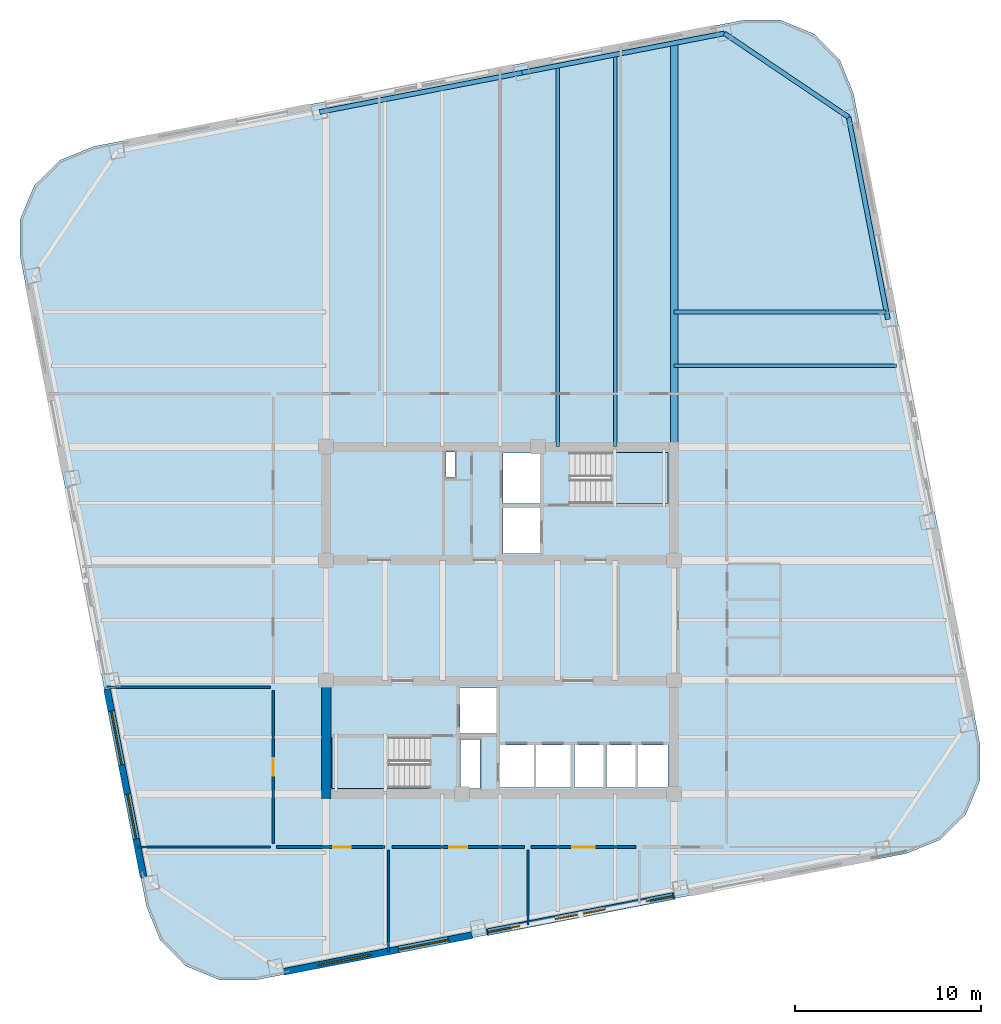
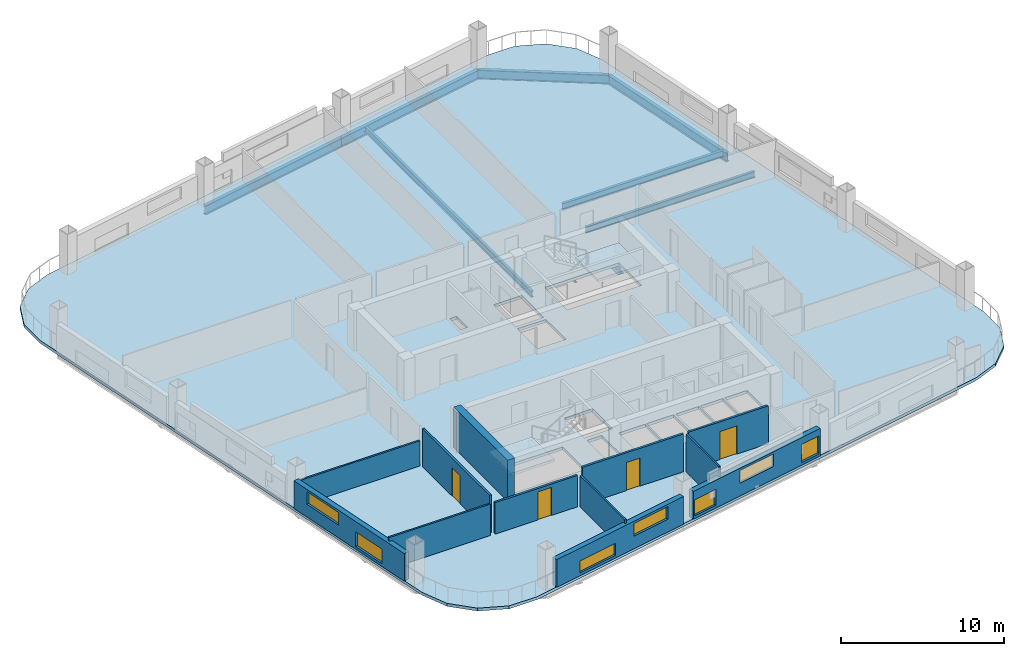
# One storey, part 2 of 9: 12 walls, 9 beams, 7 windows, 4 doors, 3 slabs, 11 openings, 2 elements without a shape of their own.
"""IFC4 building model written with IfcOpenShell, lengths in metres."""

import ifcopenshell
import ifcopenshell.guid

model = None  # the IFC model being written
_history = None  # IfcOwnerHistory: only IFC2X3 demands one
_inside = {}  # id of a spatial element -> (the spatial element, [elements in it])
_under = {}  # id of a project, library or spatial element -> (it, [spatial elements below it])
_declared = {}  # id of a project -> (the project, [libraries it declares])
_typed = {}  # id of a type object -> (the type object, [elements of that type])
_made_of = {}  # id of a material, layer set ... -> (it, [elements and type objects made of it])


def new_model(schema):
    """Start an empty IFC model of exactly this schema.

    Asked for "IFC4X3", IfcOpenShell would pick the latest addendum, in which some entities
    have other attributes; the version numbers below select the first issue.
    IFC2X3 requires an IfcOwnerHistory on every rooted entity: one is made here for all.
    """
    global model, _history
    if schema == "IFC4X3":
        model = ifcopenshell.file(schema_version=(4, 3, 0, 0))
    else:
        model = ifcopenshell.file(schema=schema)
    _inside.clear()
    _under.clear()
    _declared.clear()
    _typed.clear()
    _made_of.clear()
    _history = None
    if model.schema == "IFC2X3":
        org = make("IfcOrganization", Name="unknown")
        user = make(
            "IfcPersonAndOrganization",
            ThePerson=make("IfcPerson", FamilyName="unknown"),
            TheOrganization=org,
        )
        app = make(
            "IfcApplication",
            ApplicationDeveloper=org,
            Version="unknown",
            ApplicationFullName="unknown",
            ApplicationIdentifier="unknown",
        )
        _history = make(
            "IfcOwnerHistory",
            OwningUser=user,
            OwningApplication=app,
            ChangeAction="ADDED",
            CreationDate=0,
        )
    return model


def make(cls, **values):
    """One entity of the class cls with the attributes given. An attribute that is None is left unset."""
    return model.create_entity(
        cls, **{name: value for name, value in values.items() if value is not None}
    )


def rooted(cls, **values):
    """An entity with a GlobalId (a new one), such as an element, a storey or a relation."""
    return make(cls, GlobalId=ifcopenshell.guid.new(), OwnerHistory=_history, **values)


def si_unit(unit_type, name, prefix=None):
    """IfcSIUnit, for example si_unit("LENGTHUNIT", "METRE", prefix="MILLI")."""
    return make("IfcSIUnit", UnitType=unit_type, Prefix=prefix, Name=name)


def assignment(units):
    """IfcUnitAssignment: the units of a project."""
    return None if units is None else make("IfcUnitAssignment", Units=units)


def point(xyz):
    """IfcCartesianPoint."""
    return None if xyz is None else make("IfcCartesianPoint", Coordinates=xyz)


def direction(xyz):
    """IfcDirection."""
    return None if xyz is None else make("IfcDirection", DirectionRatios=xyz)


def frame(location, z_axis=None, x_axis=None):
    """IfcAxis2Placement3D, a coordinate frame: its origin and axes. An axis left out is left unset."""
    return make(
        "IfcAxis2Placement3D",
        Location=point(location),
        Axis=direction(z_axis),
        RefDirection=direction(x_axis),
    )


def frame_2d(location, x_axis=None):
    """IfcAxis2Placement2D, a coordinate frame in the plane: its origin and x axis."""
    return make(
        "IfcAxis2Placement2D", Location=point(location), RefDirection=direction(x_axis)
    )


def origin():
    """The frame at (0, 0, 0) with its axes left unset."""
    return frame((0.0, 0.0, 0.0))


def origin_2d():
    """The frame at (0, 0) in the plane with its x axis left unset."""
    return frame_2d((0.0, 0.0))


def place(relative_to, where):
    """IfcLocalPlacement: puts the frame where relative to a parent placement (None: the world)."""
    return make(
        "IfcLocalPlacement", PlacementRelTo=relative_to, RelativePlacement=where
    )


def context(
    kind, dimensions, precision=None, world=None, true_north=None, identifier=None
):
    """IfcGeometricRepresentationContext, for example the 3D "Model" context."""
    return make(
        "IfcGeometricRepresentationContext",
        ContextIdentifier=identifier,
        ContextType=kind,
        CoordinateSpaceDimension=dimensions,
        Precision=precision,
        WorldCoordinateSystem=world,
        TrueNorth=true_north,
    )


def subcontext(parent, identifier, kind, view, scale=None):
    """IfcGeometricRepresentationSubContext, for example "Body" below "Model"."""
    return make(
        "IfcGeometricRepresentationSubContext",
        ContextIdentifier=identifier,
        ContextType=kind,
        ParentContext=parent,
        TargetScale=scale,
        TargetView=view,
    )


def project(units=None, contexts=None):
    """IfcProject with its units and contexts."""
    return rooted(
        "IfcProject",
        Name="project",
        RepresentationContexts=contexts,
        UnitsInContext=assignment(units),
    )


def spatial(cls, under=None, at=None, **own):
    """A site, building, storey or space (cls), placed at a placement, below another one or the project."""
    s = rooted(cls, ObjectPlacement=at, **own)
    if under is not None:
        _under.setdefault(under.id(), (under, []))[1].append(s)
    return s


def polyline(points):
    """IfcPolyline through the points."""
    return make("IfcPolyline", Points=[point(p) for p in points])


def profile(cls, at=None, kind="AREA", **sizes):
    """A parametric profile (cls). Its sizes go by their IFC names, for example OverallWidth=200.0."""
    return make(cls, ProfileType=kind, Position=at, **sizes)


def rectangle(**sizes):
    """IfcRectangleProfileDef."""
    return profile("IfcRectangleProfileDef", **sizes)


def i_section(**sizes):
    """IfcIShapeProfileDef."""
    return profile("IfcIShapeProfileDef", **sizes)


def outline(outer, holes=None, kind="AREA"):
    """IfcArbitraryClosedProfileDef: a profile drawn as a closed curve; with holes, ...WithVoids."""
    if holes is None:
        return make("IfcArbitraryClosedProfileDef", ProfileType=kind, OuterCurve=outer)
    return make(
        "IfcArbitraryProfileDefWithVoids",
        ProfileType=kind,
        OuterCurve=outer,
        InnerCurves=holes,
    )


def extrude(swept, where, along, depth):
    """IfcExtrudedAreaSolid: the profile swept, set in the frame where, extruded along a direction by depth."""
    return make(
        "IfcExtrudedAreaSolid",
        SweptArea=swept,
        Position=where,
        ExtrudedDirection=direction(along),
        Depth=depth,
    )


def shape(context_of_items, identifier, shape_type, items):
    """IfcShapeRepresentation: the items that make up one representation, for example the "Body"."""
    return make(
        "IfcShapeRepresentation",
        ContextOfItems=context_of_items,
        RepresentationIdentifier=identifier,
        RepresentationType=shape_type,
        Items=items,
    )


def material(Name=None, Category=None):
    """IfcMaterial."""
    return make("IfcMaterial", Name=Name, Category=Category)


def layer(
    of_material, thickness, ventilated=None, Name=None, Category=None, Priority=None
):
    """IfcMaterialLayer: one layer of a wall or slab, of a material (None: an air gap)."""
    return make(
        "IfcMaterialLayer",
        Material=of_material,
        LayerThickness=thickness,
        IsVentilated=ventilated,
        Name=Name,
        Category=Category,
        Priority=Priority,
    )


def layer_set(layers, Name=None):
    """IfcMaterialLayerSet."""
    return make("IfcMaterialLayerSet", MaterialLayers=layers, LayerSetName=Name)


def material_profile(
    of_material, cross_section, Name=None, Category=None, Priority=None
):
    """IfcMaterialProfile: a cross section and its material."""
    return make(
        "IfcMaterialProfile",
        Name=Name,
        Material=of_material,
        Profile=cross_section,
        Priority=Priority,
        Category=Category,
    )


def profile_set(profiles, Name=None, composite=None):
    """IfcMaterialProfileSet."""
    return make(
        "IfcMaterialProfileSet",
        Name=Name,
        MaterialProfiles=profiles,
        CompositeProfile=composite,
    )


def made_of(thing, what):
    """Note that an element or type object is made of a material, layer set ...; save() writes the relation."""
    if what is not None:
        _made_of.setdefault(what.id(), (what, []))[1].append(thing)
    return thing


def type_object(cls, material=None, **own):
    """A type object (cls), such as IfcWallType, which elements share."""
    return made_of(rooted(cls, **own), material)


def element(
    cls,
    number,
    at=None,
    inside=None,
    cuts=None,
    type_object=None,
    material=None,
    context=None,
    identifier="Body",
    shape_type=None,
    held_by="IfcProductDefinitionShape",
    body=None,
    shapes=None,
    **own,
):
    """One element of the class cls, such as IfcWall. Its Tag is "e" and its number.

    at: its placement. inside: the storey or other place that contains it. cuts: it is an
    opening in that element (IfcRelVoidsElement). A single representation is given by context,
    identifier, shape_type and body (its items); several are given by shapes. held_by: the class
    of the entity that holds the representations. save() writes the other relations.
    """
    e = rooted(cls, Tag="e%d" % number, ObjectPlacement=at, **own)
    if body is not None:
        shapes = [shape(context, identifier, shape_type, body)]
    if shapes is not None:
        e.Representation = make(held_by, Representations=shapes)
    if inside is not None:
        _inside.setdefault(inside.id(), (inside, []))[1].append(e)
    if cuts is not None:
        rooted(
            "IfcRelVoidsElement", RelatingBuildingElement=cuts, RelatedOpeningElement=e
        )
    if type_object is not None:
        _typed.setdefault(type_object.id(), (type_object, []))[1].append(e)
    return made_of(e, material)


def fill(opening, filler):
    """IfcRelFillsElement: the door or window that sits in an opening."""
    return rooted(
        "IfcRelFillsElement",
        RelatingOpeningElement=opening,
        RelatedBuildingElement=filler,
    )


def aggregate(whole, parts):
    """IfcRelAggregates: a whole, such as a stair, and the parts it consists of."""
    return rooted("IfcRelAggregates", RelatingObject=whole, RelatedObjects=parts)


def save(model, path):
    """Write the relations noted so far, then the file.

    IfcRelAggregates (storeys below a building ...), IfcRelContainedInSpatialStructure (elements
    in a storey), IfcRelDefinesByType, IfcRelAssociatesMaterial and IfcRelDeclares: one each for
    every whole, place, type object, material and project.
    """
    for whole, parts in _under.values():
        aggregate(whole, parts)
    for where, things in _inside.values():
        rooted(
            "IfcRelContainedInSpatialStructure",
            RelatedElements=things,
            RelatingStructure=where,
        )
    for kind, things in _typed.values():
        rooted("IfcRelDefinesByType", RelatedObjects=things, RelatingType=kind)
    for what, things in _made_of.values():
        rooted("IfcRelAssociatesMaterial", RelatedObjects=things, RelatingMaterial=what)
    for by, libraries in _declared.values():
        rooted("IfcRelDeclares", RelatingContext=by, RelatedDefinitions=libraries)
    model.write(path)


model = new_model("IFC4")

# Units and contexts
model_context = context("Model", 3, precision=1e-05, world=origin(), true_north=direction((0.0, 1.0)))
body_context = subcontext(model_context, "Body", "Model", "MODEL_VIEW")
ifc_project = project(units=[si_unit("LENGTHUNIT", "METRE"), si_unit("AREAUNIT", "SQUARE_METRE"), si_unit("VOLUMEUNIT", "CUBIC_METRE"), si_unit("PLANEANGLEUNIT", "RADIAN"), si_unit("MASSUNIT", "GRAM", prefix="KILO")], contexts=[model_context])

# Site, building, storey
site_placement = place(None, origin())
site = spatial("IfcSite", under=ifc_project, at=site_placement, CompositionType="ELEMENT")
building_placement = place(site_placement, origin())
building = spatial("IfcBuilding", under=site, at=building_placement, Name="Qhalaya Broadcast Tower", CompositionType="ELEMENT")
storey_placement = place(building_placement, frame((0.0, 0.0, 134.14990234375)))
storey = spatial("IfcBuildingStorey", under=building, at=storey_placement, Name="L39", CompositionType="ELEMENT", Elevation=134.14990234375)

# Beams
ifc_material_1 = material(Name="Structural Steel ASTM A992 Grade 50", Category="steel")
ifc_material_profile_1 = material_profile(ifc_material_1, i_section(OverallWidth=0.19189453125, OverallDepth=0.462890625, WebThickness=0.010498046875, FlangeThickness=0.017578125, at=origin_2d()), Name="W18X60")
ifc_profile_set_1 = profile_set([ifc_material_profile_1], Name="Structural Steel ASTM A992 Grade 50")
beam_type_1 = type_object("IfcBeamType", Name="Composite Floor Joist J03", PredefinedType="JOIST", material=ifc_profile_set_1)
beam_1_placement = place(storey_placement, frame((3.10009765625, 9.949951171875, -0.451416015625), z_axis=(0.0, 1.0, 0.0), x_axis=(-1.0, 0.0, 0.0)))
element("IfcBeam", 1, at=beam_1_placement, inside=storey, type_object=beam_type_1, Name="L39 J03 L39-JNN4-1", PredefinedType="JOIST", context=body_context, shape_type="SweptSolid", body=[
    extrude(i_section(OverallWidth=0.19189453125, OverallDepth=0.462890625, WebThickness=0.010498046875, FlangeThickness=0.017578125, at=origin_2d()), origin(), (0.0, 0.0, 1.0), 20.480712890625),
])
beam_2_placement = place(storey_placement, frame((6.199951171875, 9.949951171875, -0.451416015625), z_axis=(0.0, 1.0, 0.0), x_axis=(-1.0, 0.0, 0.0)))
element("IfcBeam", 2, at=beam_2_placement, inside=storey, type_object=beam_type_1, Name="L39 J03 L39-JNN5-1", PredefinedType="JOIST", context=body_context, shape_type="SweptSolid", body=[
    extrude(i_section(OverallWidth=0.19189453125, OverallDepth=0.462890625, WebThickness=0.010498046875, FlangeThickness=0.017578125, at=origin_2d()), origin(), (0.0, 0.0, 1.0), 21.083251953125),
])
beam_3_placement = place(storey_placement, frame((9.375, 14.300048828125, -0.451416015625), z_axis=(1.0, 0.0, 0.0), x_axis=(0.0, 1.0, 0.0)))
element("IfcBeam", 3, at=beam_3_placement, inside=storey, type_object=beam_type_1, Name="L39 J03 L39-JWE6E-1", PredefinedType="JOIST", context=body_context, shape_type="SweptSolid", body=[
    extrude(i_section(OverallWidth=0.19189453125, OverallDepth=0.462890625, WebThickness=0.010498046875, FlangeThickness=0.017578125, at=origin_2d()), origin(), (0.0, 0.0, 1.0), 11.969482421875),
])
beam_4_placement = place(storey_placement, frame((9.375, 17.199951171875, -0.451416015625), z_axis=(1.0, 0.0, 0.0), x_axis=(0.0, 1.0, 0.0)))
element("IfcBeam", 4, at=beam_4_placement, inside=storey, type_object=beam_type_1, Name="L39 J03 L39-JWE7E-1", PredefinedType="JOIST", context=body_context, shape_type="SweptSolid", body=[
    extrude(i_section(OverallWidth=0.19189453125, OverallDepth=0.462890625, WebThickness=0.010498046875, FlangeThickness=0.017578125, at=origin_2d()), origin(), (0.0, 0.0, 1.0), 11.40576171875),
])
ifc_material_profile_2 = material_profile(ifc_material_1, i_section(OverallWidth=0.4189453125, OverallDepth=0.927001953125, WebThickness=0.019287109375, FlangeThickness=0.031982421875, at=origin_2d()), Name="W36X231")
ifc_profile_set_2 = profile_set([ifc_material_profile_2], Name="Structural Steel ASTM A992 Grade 50")
beam_type_2 = type_object("IfcBeamType", Name="Mid Block Primary Girder PG3", PredefinedType="USERDEFINED", material=ifc_profile_set_2)
beam_5_placement = place(storey_placement, frame((9.375, 9.949951171875, -0.683349609375), z_axis=(0.0, 1.0, 0.0), x_axis=(-1.0, 0.0, 0.0)))
element("IfcBeam", 5, at=beam_5_placement, inside=storey, type_object=beam_type_2, Name="L39 PG3 L39-PGXN2-1", ObjectType="GIRDER", PredefinedType="USERDEFINED", context=body_context, shape_type="SweptSolid", body=[
    extrude(i_section(OverallWidth=0.4189453125, OverallDepth=0.927001953125, WebThickness=0.019287109375, FlangeThickness=0.031982421875, at=origin_2d()), origin(), (0.0, 0.0, 1.0), 21.7001953125),
])
ifc_material_profile_3 = material_profile(ifc_material_1, i_section(OverallWidth=0.25390625, OverallDepth=0.68310546875, WebThickness=0.012451171875, FlangeThickness=0.01904296875, at=origin_2d()), Name="W27X94")
ifc_profile_set_3 = profile_set([ifc_material_profile_3], Name="Structural Steel ASTM A992 Grade 50")
beam_type_3 = type_object("IfcBeamType", Name="Perimeter Ring Spandrel Beam SP1", PredefinedType="SPANDREL", material=ifc_profile_set_3)
beam_6_placement = place(storey_placement, frame((20.88037109375, 16.79248046875, -0.5615234375), z_axis=(-0.190800781233, 0.98162878008, 0.0), x_axis=(-0.98162878008, -0.190800781233, 0.0)))
element("IfcBeam", 6, at=beam_6_placement, inside=storey, type_object=beam_type_3, Name="L39 SP1 L39-SPR-07", PredefinedType="SPANDREL", context=body_context, shape_type="SweptSolid", body=[
    extrude(i_section(OverallWidth=0.25390625, OverallDepth=0.68310546875, WebThickness=0.012451171875, FlangeThickness=0.01904296875, at=origin_2d()), origin(), (0.0, 0.0, 1.0), 11.10009765625),
])
beam_7_placement = place(storey_placement, frame((18.762451171875, 27.688720703125, -0.5615234375), z_axis=(-0.829042088473, 0.559186208288, 0.0), x_axis=(-0.559186208288, -0.829042088473, 0.0)))
element("IfcBeam", 7, at=beam_7_placement, inside=storey, type_object=beam_type_3, Name="L39 SP1 L39-SPR-08", PredefinedType="SPANDREL", context=body_context, shape_type="SweptSolid", body=[
    extrude(i_section(OverallWidth=0.25390625, OverallDepth=0.68310546875, WebThickness=0.012451171875, FlangeThickness=0.01904296875, at=origin_2d()), origin(), (0.0, 0.0, 1.0), 8.06103515625),
])
beam_8_placement = place(storey_placement, frame((12.07958984375, 32.1962890625, -0.5615234375), z_axis=(-0.98162878008, -0.190800781233, 0.0), x_axis=(0.190800781233, -0.98162878008, 0.0)))
element("IfcBeam", 8, at=beam_8_placement, inside=storey, type_object=beam_type_3, Name="L39 SP1 L39-SPR-09", PredefinedType="SPANDREL", context=body_context, shape_type="SweptSolid", body=[
    extrude(i_section(OverallWidth=0.25390625, OverallDepth=0.68310546875, WebThickness=0.012451171875, FlangeThickness=0.01904296875, at=origin_2d()), origin(), (0.0, 0.0, 1.0), 11.10009765625),
])
beam_9_placement = place(storey_placement, frame((1.183349609375, 30.078369140625, -0.5615234375), z_axis=(-0.981627979352, -0.190804900759, 0.0), x_axis=(0.190804900759, -0.981627979352, 0.0)))
element("IfcBeam", 9, at=beam_9_placement, inside=storey, type_object=beam_type_3, Name="L39 SP1 L39-SPR-10", PredefinedType="SPANDREL", context=body_context, shape_type="SweptSolid", body=[
    extrude(i_section(OverallWidth=0.25390625, OverallDepth=0.68310546875, WebThickness=0.012451171875, FlangeThickness=0.01904296875, at=origin_2d()), origin(), (0.0, 0.0, 1.0), 11.099853515625),
])

# Stair, slab
ifc_material_2 = material(Name="Concrete C40/50", Category="concrete")
stair_type = type_object("IfcStairType", Name="Protected Dogleg Core Stair 3150", PredefinedType="TWO_STRAIGHT_RUN_STAIR", material=ifc_material_2)
stair_1_placement = place(storey_placement, origin())
stair_1 = element("IfcStair", 10, at=stair_1_placement, inside=storey, type_object=stair_type, Name="L39 North Core Exit Stair ST-1", PredefinedType="TWO_STRAIGHT_RUN_STAIR")
ifc_layer_1 = layer(ifc_material_2, 0.199951171875, Name="Concrete C40/50")
ifc_layer_set_1 = layer_set([ifc_layer_1], Name="Concrete C40/50")
slab_type_1 = type_object("IfcSlabType", Name="Stair & Ramp Half-Landing Slab 200", PredefinedType="LANDING", material=ifc_layer_set_1)
slab_1_placement = place(storey_placement, frame((0.0, 0.0, 1.3251953125)))
slab_1 = element("IfcSlab", 11, at=slab_1_placement, type_object=slab_type_1, Name="ST-1 landing 1", PredefinedType="LANDING", context=body_context, shape_type="SweptSolid", body=[
    extrude(outline(polyline([(5.955078125, 6.8798828125), (9.050048828125, 6.8798828125), (9.050048828125, 9.639892578125), (5.955078125, 9.639892578125), (5.955078125, 6.8798828125)])), origin(), (0.0, 0.0, 1.0), 0.199951171875),
])
aggregate(stair_1, [slab_1])

stair_2_placement = place(storey_placement, origin())
stair_2 = element("IfcStair", 12, at=stair_2_placement, inside=storey, type_object=stair_type, Name="L39 South Core Exit Stair ST-2", PredefinedType="TWO_STRAIGHT_RUN_STAIR")
slab_2_placement = place(storey_placement, frame((0.0, 0.0, 1.3251953125)))
slab_2 = element("IfcSlab", 13, at=slab_2_placement, type_object=slab_type_1, Name="ST-2 landing 1", PredefinedType="LANDING", context=body_context, shape_type="SweptSolid", body=[
    extrude(outline(polyline([(-5.955078125, -5.679931640625), (-9.050048828125, -5.679931640625), (-9.050048828125, -8.43994140625), (-5.955078125, -8.43994140625), (-5.955078125, -5.679931640625)])), origin(), (0.0, 0.0, 1.0), 0.199951171875),
])
aggregate(stair_2, [slab_2])

# Slab
ifc_layer_2 = layer(ifc_material_2, 0.219970703125, Name="Concrete C40/50")
ifc_layer_set_2 = layer_set([ifc_layer_2], Name="Concrete C40/50")
slab_type_2 = type_object("IfcSlabType", Name="Tower Composite Floor Slab 220", PredefinedType="FLOOR", material=ifc_layer_set_2)
slab_3_placement = place(storey_placement, frame((0.0, 0.0, -0.219970703125)))
element("IfcSlab", 14, at=slab_3_placement, inside=storey, type_object=slab_type_2, Name="L39 Main Structural Floor Slab", PredefinedType="FLOOR", context=body_context, shape_type="SweptSolid", body=[
    extrude(outline(polyline([(21.882080078125, -11.944091796875), (23.687744140625, -11.20556640625), (25.0732421875, -9.83203125), (25.82763671875, -8.032958984375), (25.836181640625, -6.08203125), (19.024169921875, 28.9619140625), (18.285400390625, 30.767578125), (16.912109375, 32.1533203125), (15.11279296875, 32.90771484375), (13.162109375, 32.916015625), (-21.882080078125, 26.104248046875), (-23.687744140625, 25.365478515625), (-25.0732421875, 23.9921875), (-25.82763671875, 22.19287109375), (-25.836181640625, 20.2421875), (-19.024169921875, -14.802001953125), (-18.285400390625, -16.607666015625), (-16.912109375, -17.9931640625), (-15.11279296875, -18.74755859375), (-13.162109375, -18.756103515625), (21.882080078125, -11.944091796875)]), holes=[polyline([(3.784912109375, 9.639892578125), (9.050048828125, 9.639892578125), (9.050048828125, 6.8798828125), (3.784912109375, 6.8798828125), (3.784912109375, 9.639892578125)]), polyline([(-3.784912109375, -8.43994140625), (-9.050048828125, -8.43994140625), (-9.050048828125, -5.679931640625), (-3.784912109375, -5.679931640625), (-3.784912109375, -8.43994140625)]), polyline([(0.14990234375, 6.64990234375), (2.14990234375, 6.64990234375), (2.14990234375, 4.199951171875), (0.14990234375, 4.199951171875), (0.14990234375, 6.64990234375)]), polyline([(0.14990234375, 9.60009765625), (2.14990234375, 9.60009765625), (2.14990234375, 6.89990234375), (0.14990234375, 6.89990234375), (0.14990234375, 9.60009765625)]), polyline([(-2.14990234375, -3.050048828125), (-0.14990234375, -3.050048828125), (-0.14990234375, -5.5), (-2.14990234375, -5.5), (-2.14990234375, -3.050048828125)]), polyline([(-0.050048828125, -6.10009765625), (1.830078125, -6.10009765625), (1.830078125, -8.39990234375), (-0.050048828125, -8.39990234375), (-0.050048828125, -6.10009765625)]), polyline([(1.949951171875, -6.10009765625), (3.830078125, -6.10009765625), (3.830078125, -8.39990234375), (1.949951171875, -8.39990234375), (1.949951171875, -6.10009765625)]), polyline([(4.0, -6.10009765625), (5.60009765625, -6.10009765625), (5.60009765625, -8.39990234375), (4.0, -8.39990234375), (4.0, -6.10009765625)]), polyline([(5.719970703125, -6.10009765625), (7.320068359375, -6.10009765625), (7.320068359375, -8.39990234375), (5.719970703125, -8.39990234375), (5.719970703125, -6.10009765625)]), polyline([(7.43994140625, -6.10009765625), (9.0400390625, -6.10009765625), (9.0400390625, -8.39990234375), (7.43994140625, -8.39990234375), (7.43994140625, -6.10009765625)]), polyline([(-2.919921875, 9.659912109375), (-2.419921875, 9.659912109375), (-2.419921875, 8.320068359375), (-2.919921875, 8.320068359375), (-2.919921875, 9.659912109375)]), polyline([(-2.1201171875, -5.820068359375), (-1.080078125, -5.820068359375), (-1.080078125, -8.4599609375), (-2.1201171875, -8.4599609375), (-2.1201171875, -5.820068359375)])]), origin(), (0.0, 0.0, 1.0), 0.219970703125),
])

# Wall, opening, door
ifc_material_3 = material(Name="Gypsum Acoustic Partition")
ifc_layer_3 = layer(ifc_material_3, 0.14990234375, Name="Gypsum Acoustic Partition")
ifc_layer_set_3 = layer_set([ifc_layer_3], Name="Gypsum Acoustic Partition")
wall_type_1 = type_object("IfcWallType", Name="Corridor & Tenancy Acoustic Partition 150", PredefinedType="PARTITIONING", material=ifc_layer_set_3)
wall_1_placement = place(storey_placement, frame((-12.02001953125, -11.60009765625, 0.0), z_axis=(0.0, 0.0, 1.0), x_axis=(1.0, 0.0, 0.0)))
wall_1 = element("IfcWall", 15, at=wall_1_placement, inside=storey, type_object=wall_type_1, Name="L39 Partition Wall W-COR-05", PredefinedType="PARTITIONING", context=body_context, shape_type="SweptSolid", body=[
    extrude(rectangle(XDim=5.840087890625, YDim=0.14990234375, at=frame_2d((2.919921875, 0.0))), origin(), (0.0, 0.0, 1.0), 2.34716796875),
])
opening_1_placement = place(wall_1_placement, frame((3.044921875, 0.0, 0.0)))
opening_1 = element("IfcOpeningElement", 16, at=opening_1_placement, cuts=wall_1, Name="Opening D10", PredefinedType="OPENING", context=body_context, shape_type="SweptSolid", body=[
    extrude(rectangle(XDim=0.949951171875, YDim=2.10009765625, at=frame_2d((0.47509765625, 1.050048828125))), frame((0.0, 0.0869140625, 0.0), z_axis=(0.0, -1.0, 0.0), x_axis=(1.0, 0.0, 0.0)), (0.0, 0.0, 1.0), 0.173828125),
])
ifc_material_4 = material(Name="Timber Veneer Acoustic Door", Category="wood")
door_type_1 = type_object("IfcDoorType", Name="Cellular Office & Edit Booth Door D10", OperationType="NOTDEFINED", PredefinedType="DOOR", material=ifc_material_4)
door_1_placement = place(opening_1_placement, origin())
door_1 = element("IfcDoor", 17, at=door_1_placement, inside=storey, type_object=door_type_1, Name="L39 Door D-RM05", OperationType="SINGLE_SWING_LEFT", OverallHeight=2.10009765625, OverallWidth=0.949951171875, PredefinedType="DOOR", context=body_context, shape_type="SweptSolid", body=[
    extrude(rectangle(XDim=0.949951171875, YDim=2.10009765625, at=frame_2d((0.47509765625, 1.050048828125))), frame((0.0, 0.02490234375, 0.0), z_axis=(0.0, -1.0, 0.0), x_axis=(1.0, 0.0, 0.0)), (0.0, 0.0, 1.0), 0.050048828125),
])
fill(opening_1, door_1)

wall_2_placement = place(storey_placement, frame((-5.820068359375, -11.60009765625, 0.0), z_axis=(0.0, 0.0, 1.0), x_axis=(1.0, 0.0, 0.0)))
wall_2 = element("IfcWall", 18, at=wall_2_placement, inside=storey, type_object=wall_type_1, Name="L39 Partition Wall W-COR-06", PredefinedType="PARTITIONING", context=body_context, shape_type="SweptSolid", body=[
    extrude(rectangle(XDim=7.14013671875, YDim=0.14990234375, at=frame_2d((3.570068359375, 0.0))), origin(), (0.0, 0.0, 1.0), 2.830078125),
])
opening_2_placement = place(wall_2_placement, frame((3.094970703125, 0.0, 0.0)))
opening_2 = element("IfcOpeningElement", 19, at=opening_2_placement, cuts=wall_2, Name="Opening D10", PredefinedType="OPENING", context=body_context, shape_type="SweptSolid", body=[
    extrude(rectangle(XDim=0.949951171875, YDim=2.10009765625, at=frame_2d((0.47509765625, 1.050048828125))), frame((0.0, 0.0869140625, 0.0), z_axis=(0.0, -1.0, 0.0), x_axis=(1.0, 0.0, 0.0)), (0.0, 0.0, 1.0), 0.173828125),
])
door_2_placement = place(opening_2_placement, origin())
door_2 = element("IfcDoor", 20, at=door_2_placement, inside=storey, type_object=door_type_1, Name="L39 Door D-RM06", OperationType="SINGLE_SWING_RIGHT", OverallHeight=2.10009765625, OverallWidth=0.949951171875, PredefinedType="DOOR", context=body_context, shape_type="SweptSolid", body=[
    extrude(rectangle(XDim=0.949951171875, YDim=2.10009765625, at=frame_2d((0.47509765625, 1.050048828125))), frame((0.0, 0.02490234375, 0.0), z_axis=(0.0, -1.0, 0.0), x_axis=(1.0, 0.0, 0.0)), (0.0, 0.0, 1.0), 0.050048828125),
])
fill(opening_2, door_2)

wall_3_placement = place(storey_placement, frame((1.679931640625, -11.60009765625, 0.0), z_axis=(0.0, 0.0, 1.0), x_axis=(1.0, 0.0, 0.0)))
wall_3 = element("IfcWall", 21, at=wall_3_placement, inside=storey, type_object=wall_type_1, Name="L39 Partition Wall W-COR-07", PredefinedType="PARTITIONING", context=body_context, shape_type="SweptSolid", body=[
    extrude(rectangle(XDim=5.64013671875, YDim=0.14990234375, at=frame_2d((2.820068359375, 0.0))), origin(), (0.0, 0.0, 1.0), 2.830078125),
])
opening_3_placement = place(wall_3_placement, frame((2.219970703125, 0.0, 0.0)))
opening_3 = element("IfcOpeningElement", 22, at=opening_3_placement, cuts=wall_3, Name="Opening D11", PredefinedType="OPENING", context=body_context, shape_type="SweptSolid", body=[
    extrude(rectangle(XDim=1.199951171875, YDim=2.10009765625, at=frame_2d((0.60009765625, 1.050048828125))), frame((0.0, 0.0869140625, 0.0), z_axis=(0.0, -1.0, 0.0), x_axis=(1.0, 0.0, 0.0)), (0.0, 0.0, 1.0), 0.173828125),
])
ifc_material_5 = material(Name="Anodised Aluminium Glazed Door", Category="aluminium")
door_type_2 = type_object("IfcDoorType", Name="Conference, Boardroom & Studio Control Door D11", OperationType="NOTDEFINED", PredefinedType="DOOR", material=ifc_material_5)
door_3_placement = place(opening_3_placement, origin())
door_3 = element("IfcDoor", 23, at=door_3_placement, inside=storey, type_object=door_type_2, Name="L39 Door D-RM07", OperationType="SINGLE_SWING_LEFT", OverallHeight=2.10009765625, OverallWidth=1.199951171875, PredefinedType="DOOR", context=body_context, shape_type="SweptSolid", body=[
    extrude(rectangle(XDim=1.199951171875, YDim=2.10009765625, at=frame_2d((0.60009765625, 1.050048828125))), frame((0.0, 0.02490234375, 0.0), z_axis=(0.0, -1.0, 0.0), x_axis=(1.0, 0.0, 0.0)), (0.0, 0.0, 1.0), 0.050048828125),
])
fill(opening_3, door_3)

wall_4_placement = place(storey_placement, frame((-12.199951171875, -11.419921875, 0.0), z_axis=(0.0, 0.0, 1.0), x_axis=(0.0, 1.0, 0.0)))
wall_4 = element("IfcWall", 24, at=wall_4_placement, inside=storey, type_object=wall_type_1, Name="L39 Partition Wall W-COR-09", PredefinedType="PARTITIONING", context=body_context, shape_type="SweptSolid", body=[
    extrude(rectangle(XDim=8.239990234375, YDim=0.14990234375, at=frame_2d((4.1201171875, 0.0))), origin(), (0.0, 0.0, 1.0), 2.830078125),
])
opening_4_placement = place(wall_4_placement, frame((3.64501953125, 0.0, 0.0)))
opening_4 = element("IfcOpeningElement", 25, at=opening_4_placement, cuts=wall_4, Name="Opening D10", PredefinedType="OPENING", context=body_context, shape_type="SweptSolid", body=[
    extrude(rectangle(XDim=0.949951171875, YDim=2.10009765625, at=frame_2d((0.47509765625, 1.050048828125))), frame((0.0, 0.0869140625, 0.0), z_axis=(0.0, -1.0, 0.0), x_axis=(1.0, 0.0, 0.0)), (0.0, 0.0, 1.0), 0.173828125),
])
door_4_placement = place(opening_4_placement, origin())
door_4 = element("IfcDoor", 26, at=door_4_placement, inside=storey, type_object=door_type_1, Name="L39 Door D-RM09", OperationType="SINGLE_SWING_LEFT", OverallHeight=2.10009765625, OverallWidth=0.949951171875, PredefinedType="DOOR", context=body_context, shape_type="SweptSolid", body=[
    extrude(rectangle(XDim=0.949951171875, YDim=2.10009765625, at=frame_2d((0.47509765625, 1.050048828125))), frame((0.0, 0.02490234375, 0.0), z_axis=(0.0, -1.0, 0.0), x_axis=(1.0, 0.0, 0.0)), (0.0, 0.0, 1.0), 0.050048828125),
])
fill(opening_4, door_4)

# Wall, openings, windows
ifc_material_6 = material(Name="Precast Concrete C40/50", Category="concrete")
ifc_layer_4 = layer(ifc_material_6, 0.360107421875, Name="Precast Concrete C40/50")
ifc_layer_set_4 = layer_set([ifc_layer_4], Name="Precast Concrete C40/50")
wall_type_2 = type_object("IfcWallType", Name="Insulated Precast Terracotta Exterior Wall 360", PredefinedType="SOLIDWALL", material=ifc_layer_set_4)
wall_5_placement = place(storey_placement, frame((9.388671875, -14.22998046875, 0.0), z_axis=(0.0, 0.0, 1.0), x_axis=(-0.981627477005, -0.190807485147, 0.0)))
wall_5 = element("IfcWall", 27, at=wall_5_placement, inside=storey, type_object=wall_type_2, Name="L39 Exoskeleton Diagrid Infill Wall S2", PredefinedType="SOLIDWALL", context=body_context, shape_type="SweptSolid", body=[
    extrude(rectangle(XDim=10.300048828125, YDim=0.360107421875, at=frame_2d((5.14990234375, 0.0))), origin(), (0.0, 0.0, 1.0), 2.067138671875),
])
opening_5_placement = place(wall_5_placement, frame((0.087890625, 0.0, 0.199951171875)))
opening_5 = element("IfcOpeningElement", 28, at=opening_5_placement, cuts=wall_5, Name="Opening W11", PredefinedType="OPENING", context=body_context, shape_type="SweptSolid", body=[
    extrude(rectangle(XDim=1.449951171875, YDim=1.35009765625, at=frame_2d((0.72509765625, 0.675048828125))), frame((0.0, 0.192138671875, 0.0), z_axis=(0.0, -1.0, 0.0), x_axis=(1.0, 0.0, 0.0)), (0.0, 0.0, 1.0), 0.384033203125),
])
opening_6_placement = place(wall_5_placement, frame((3.7880859375, 0.0, 0.949951171875)))
opening_6 = element("IfcOpeningElement", 29, at=opening_6_placement, cuts=wall_5, Name="Opening W11", PredefinedType="OPENING", context=body_context, shape_type="SweptSolid", body=[
    extrude(rectangle(XDim=2.75, YDim=0.949951171875, at=frame_2d((1.375, 0.47509765625))), frame((0.0, 0.192138671875, 0.0), z_axis=(0.0, -1.0, 0.0), x_axis=(1.0, 0.0, 0.0)), (0.0, 0.0, 1.0), 0.384033203125),
])
opening_7_placement = place(wall_5_placement, frame((8.488037109375, 0.0, 0.199951171875)))
opening_7 = element("IfcOpeningElement", 30, at=opening_7_placement, cuts=wall_5, Name="Opening W11", PredefinedType="OPENING", context=body_context, shape_type="SweptSolid", body=[
    extrude(rectangle(XDim=1.75, YDim=1.199951171875, at=frame_2d((0.875, 0.60009765625))), frame((0.0, 0.192138671875, 0.0), z_axis=(0.0, -1.0, 0.0), x_axis=(1.0, 0.0, 0.0)), (0.0, 0.0, 1.0), 0.384033203125),
])
ifc_material_7 = material(Name="Solar-Control Low-E Triple Glazing", Category="glass")
window_type = type_object("IfcWindowType", Name="Odd-Block Diagrid Infill Window W11", PartitioningType="SINGLE_PANEL", PredefinedType="WINDOW", material=ifc_material_7)
window_1_placement = place(opening_5_placement, origin())
window_1 = element("IfcWindow", 31, at=window_1_placement, inside=storey, type_object=window_type, Name="L39 Diagrid Infill Window W11-S3", OverallHeight=1.35009765625, OverallWidth=1.449951171875, PartitioningType="SINGLE_PANEL", PredefinedType="WINDOW", context=body_context, shape_type="SweptSolid", body=[
    extrude(rectangle(XDim=1.449951171875, YDim=1.35009765625, at=frame_2d((0.72509765625, 0.675048828125))), frame((0.0, 0.030029296875, 0.0), z_axis=(0.0, -1.0, 0.0), x_axis=(1.0, 0.0, 0.0)), (0.0, 0.0, 1.0), 0.06005859375),
])
fill(opening_5, window_1)
window_2_placement = place(opening_6_placement, origin())
window_2 = element("IfcWindow", 32, at=window_2_placement, inside=storey, type_object=window_type, Name="L39 Diagrid Infill Window W11-S4", OverallHeight=0.949951171875, OverallWidth=2.75, PartitioningType="SINGLE_PANEL", PredefinedType="WINDOW", context=body_context, shape_type="SweptSolid", body=[
    extrude(rectangle(XDim=2.75, YDim=0.949951171875, at=frame_2d((1.375, 0.47509765625))), frame((0.0, 0.030029296875, 0.0), z_axis=(0.0, -1.0, 0.0), x_axis=(1.0, 0.0, 0.0)), (0.0, 0.0, 1.0), 0.06005859375),
])
fill(opening_6, window_2)
window_3_placement = place(opening_7_placement, origin())
window_3 = element("IfcWindow", 33, at=window_3_placement, inside=storey, type_object=window_type, Name="L39 Diagrid Infill Window W11-S5", OverallHeight=1.199951171875, OverallWidth=1.75, PartitioningType="SINGLE_PANEL", PredefinedType="WINDOW", context=body_context, shape_type="SweptSolid", body=[
    extrude(rectangle(XDim=1.75, YDim=1.199951171875, at=frame_2d((0.875, 0.60009765625))), frame((0.0, 0.030029296875, 0.0), z_axis=(0.0, -1.0, 0.0), x_axis=(1.0, 0.0, 0.0)), (0.0, 0.0, 1.0), 0.06005859375),
])
fill(opening_7, window_3)

wall_6_placement = place(storey_placement, frame((-1.50732421875, -16.34814453125, 0.0), z_axis=(0.0, 0.0, 1.0), x_axis=(-0.981628941133, -0.190799952646, 0.0)))
wall_6 = element("IfcWall", 34, at=wall_6_placement, inside=storey, type_object=wall_type_2, Name="L39 Exoskeleton Diagrid Infill Wall S3", PredefinedType="SOLIDWALL", context=body_context, shape_type="SweptSolid", body=[
    extrude(rectangle(XDim=10.31201171875, YDim=0.360107421875, at=frame_2d((5.156005859375, 0.0))), origin(), (0.0, 0.0, 1.0), 2.067138671875),
])
opening_8_placement = place(wall_6_placement, frame((1.2880859375, 0.0, 0.949951171875)))
opening_8 = element("IfcOpeningElement", 35, at=opening_8_placement, cuts=wall_6, Name="Opening W11", PredefinedType="OPENING", context=body_context, shape_type="SweptSolid", body=[
    extrude(rectangle(XDim=2.75, YDim=0.949951171875, at=frame_2d((1.375, 0.47509765625))), frame((0.0, 0.192138671875, 0.0), z_axis=(0.0, -1.0, 0.0), x_axis=(1.0, 0.0, 0.0)), (0.0, 0.0, 1.0), 0.384033203125),
])
opening_9_placement = place(wall_6_placement, frame((5.5380859375, 0.0, 0.199951171875)))
opening_9 = element("IfcOpeningElement", 36, at=opening_9_placement, cuts=wall_6, Name="Opening W11", PredefinedType="OPENING", context=body_context, shape_type="SweptSolid", body=[
    extrude(rectangle(XDim=2.89990234375, YDim=0.89990234375, at=frame_2d((1.449951171875, 0.449951171875))), frame((0.0, 0.192138671875, 0.0), z_axis=(0.0, -1.0, 0.0), x_axis=(1.0, 0.0, 0.0)), (0.0, 0.0, 1.0), 0.384033203125),
])
window_4_placement = place(opening_8_placement, origin())
window_4 = element("IfcWindow", 37, at=window_4_placement, inside=storey, type_object=window_type, Name="L39 Diagrid Infill Window W11-S6", OverallHeight=0.949951171875, OverallWidth=2.75, PartitioningType="SINGLE_PANEL", PredefinedType="WINDOW", context=body_context, shape_type="SweptSolid", body=[
    extrude(rectangle(XDim=2.75, YDim=0.949951171875, at=frame_2d((1.375, 0.47509765625))), frame((0.0, 0.030029296875, 0.0), z_axis=(0.0, -1.0, 0.0), x_axis=(1.0, 0.0, 0.0)), (0.0, 0.0, 1.0), 0.06005859375),
])
fill(opening_8, window_4)
window_5_placement = place(opening_9_placement, origin())
window_5 = element("IfcWindow", 38, at=window_5_placement, inside=storey, type_object=window_type, Name="L39 Diagrid Infill Window W11-S7", OverallHeight=0.89990234375, OverallWidth=2.89990234375, PartitioningType="SINGLE_PANEL", PredefinedType="WINDOW", context=body_context, shape_type="SweptSolid", body=[
    extrude(rectangle(XDim=2.89990234375, YDim=0.89990234375, at=frame_2d((1.449951171875, 0.449951171875))), frame((0.0, 0.030029296875, 0.0), z_axis=(0.0, -1.0, 0.0), x_axis=(1.0, 0.0, 0.0)), (0.0, 0.0, 1.0), 0.06005859375),
])
fill(opening_9, window_5)

wall_7_placement = place(storey_placement, frame((-19.189697265625, -13.216552734375, 0.0), z_axis=(0.0, 0.0, 1.0), x_axis=(-0.190822765986, 0.981624506612, 0.0)))
wall_7 = element("IfcWall", 39, at=wall_7_placement, inside=storey, type_object=wall_type_2, Name="L39 Exoskeleton Diagrid Infill Wall W1", PredefinedType="SOLIDWALL", context=body_context, shape_type="SweptSolid", body=[
    extrude(rectangle(XDim=10.31201171875, YDim=0.360107421875, at=frame_2d((5.156005859375, 0.0))), origin(), (0.0, 0.0, 1.0), 2.067138671875),
])
opening_10_placement = place(wall_7_placement, frame((2.10009765625, 0.0, 0.199951171875)))
opening_10 = element("IfcOpeningElement", 40, at=opening_10_placement, cuts=wall_7, Name="Opening W11", PredefinedType="OPENING", context=body_context, shape_type="SweptSolid", body=[
    extrude(rectangle(XDim=2.449951171875, YDim=1.10009765625, at=frame_2d((1.22509765625, 0.550048828125))), frame((0.0, 0.192138671875, 0.0), z_axis=(0.0, -1.0, 0.0), x_axis=(1.0, 0.0, 0.0)), (0.0, 0.0, 1.0), 0.384033203125),
])
opening_11_placement = place(wall_7_placement, frame((6.14990234375, 0.0, 0.949951171875)))
opening_11 = element("IfcOpeningElement", 41, at=opening_11_placement, cuts=wall_7, Name="Opening W11", PredefinedType="OPENING", context=body_context, shape_type="SweptSolid", body=[
    extrude(rectangle(XDim=2.949951171875, YDim=0.949951171875, at=frame_2d((1.47509765625, 0.47509765625))), frame((0.0, 0.192138671875, 0.0), z_axis=(0.0, -1.0, 0.0), x_axis=(1.0, 0.0, 0.0)), (0.0, 0.0, 1.0), 0.384033203125),
])
window_6_placement = place(opening_10_placement, origin())
window_6 = element("IfcWindow", 42, at=window_6_placement, inside=storey, type_object=window_type, Name="L39 Diagrid Infill Window W11-W1", OverallHeight=1.10009765625, OverallWidth=2.449951171875, PartitioningType="SINGLE_PANEL", PredefinedType="WINDOW", context=body_context, shape_type="SweptSolid", body=[
    extrude(rectangle(XDim=2.449951171875, YDim=1.10009765625, at=frame_2d((1.22509765625, 0.550048828125))), frame((0.0, 0.030029296875, 0.0), z_axis=(0.0, -1.0, 0.0), x_axis=(1.0, 0.0, 0.0)), (0.0, 0.0, 1.0), 0.06005859375),
])
fill(opening_10, window_6)
window_7_placement = place(opening_11_placement, origin())
window_7 = element("IfcWindow", 43, at=window_7_placement, inside=storey, type_object=window_type, Name="L39 Diagrid Infill Window W11-W2", OverallHeight=0.949951171875, OverallWidth=2.949951171875, PartitioningType="SINGLE_PANEL", PredefinedType="WINDOW", context=body_context, shape_type="SweptSolid", body=[
    extrude(rectangle(XDim=2.949951171875, YDim=0.949951171875, at=frame_2d((1.47509765625, 0.47509765625))), frame((0.0, 0.030029296875, 0.0), z_axis=(0.0, -1.0, 0.0), x_axis=(1.0, 0.0, 0.0)), (0.0, 0.0, 1.0), 0.06005859375),
])
fill(opening_11, window_7)

# Walls
ifc_material_8 = material(Name="Concrete C50/60", Category="concrete")
ifc_layer_5 = layer(ifc_material_8, 0.5, Name="Concrete C50/60")
ifc_layer_set_5 = layer_set([ifc_layer_5], Name="Concrete C50/60")
wall_type_3 = type_object("IfcWallType", Name="Mid Split-Core Shear Wall 500", PredefinedType="SHEAR", material=ifc_layer_set_5)
wall_8_placement = place(storey_placement, frame((-9.35009765625, -9.0, 0.0), z_axis=(0.0, 0.0, 1.0), x_axis=(0.0, 1.0, 0.0)))
element("IfcWall", 44, at=wall_8_placement, inside=storey, type_object=wall_type_3, Name="L39 Split-Core Shear Wall CW-SW", PredefinedType="SHEAR", context=body_context, shape_type="SweptSolid", body=[
    extrude(rectangle(XDim=6.60009765625, YDim=0.5, at=frame_2d((3.300048828125, 0.0))), origin(), (0.0, 0.0, 1.0), 3.050048828125),
])
ifc_layer_6 = layer(ifc_material_3, 0.1201171875, Name="Gypsum Acoustic Partition")
ifc_layer_set_6 = layer_set([ifc_layer_6], Name="Gypsum Acoustic Partition")
wall_type_4 = type_object("IfcWallType", Name="Office, Booth & Sanitary Partition 120", PredefinedType="PARTITIONING", material=ifc_layer_set_6)
wall_9_placement = place(storey_placement, frame((-19.5244140625, -11.60009765625, 0.0), z_axis=(0.0, 0.0, 1.0), x_axis=(1.0, 0.0, 0.0)))
element("IfcWall", 45, at=wall_9_placement, inside=storey, type_object=wall_type_4, Name="L39 Partition Wall W-BNDW2", PredefinedType="PARTITIONING", context=body_context, shape_type="SweptSolid", body=[
    extrude(rectangle(XDim=7.184326171875, YDim=0.1201171875, at=frame_2d((3.59228515625, 0.0))), origin(), (0.0, 0.0, 1.0), 2.34716796875),
])
wall_10_placement = place(storey_placement, frame((-6.0, -17.24169921875, 0.0), z_axis=(0.0, 0.0, 1.0), x_axis=(0.0, 1.0, 0.0)))
element("IfcWall", 46, at=wall_10_placement, inside=storey, type_object=wall_type_4, Name="L39 Partition Wall W-DIVS1", PredefinedType="PARTITIONING", context=body_context, shape_type="SweptSolid", body=[
    extrude(rectangle(XDim=5.481689453125, YDim=0.1201171875, at=frame_2d((2.74072265625, 0.0))), origin(), (0.0, 0.0, 1.0), 2.34716796875),
])
wall_11_placement = place(storey_placement, frame((1.5, -15.78369140625, 0.0), z_axis=(0.0, 0.0, 1.0), x_axis=(0.0, 1.0, 0.0)))
element("IfcWall", 47, at=wall_11_placement, inside=storey, type_object=wall_type_4, Name="L39 Partition Wall W-DIVS2", PredefinedType="PARTITIONING", context=body_context, shape_type="SweptSolid", body=[
    extrude(rectangle(XDim=4.023681640625, YDim=0.1201171875, at=frame_2d((2.01171875, 0.0))), origin(), (0.0, 0.0, 1.0), 2.830078125),
])
wall_12_placement = place(storey_placement, frame((-21.196044921875, -3.0, 0.0), z_axis=(0.0, 0.0, 1.0), x_axis=(1.0, 0.0, 0.0)))
element("IfcWall", 48, at=wall_12_placement, inside=storey, type_object=wall_type_4, Name="L39 Partition Wall W-DIVW1", PredefinedType="PARTITIONING", context=body_context, shape_type="SweptSolid", body=[
    extrude(rectangle(XDim=8.8359375, YDim=0.1201171875, at=frame_2d((4.41796875, 0.0))), origin(), (0.0, 0.0, 1.0), 1.883056640625),
])

save(model, "model.ifc")
